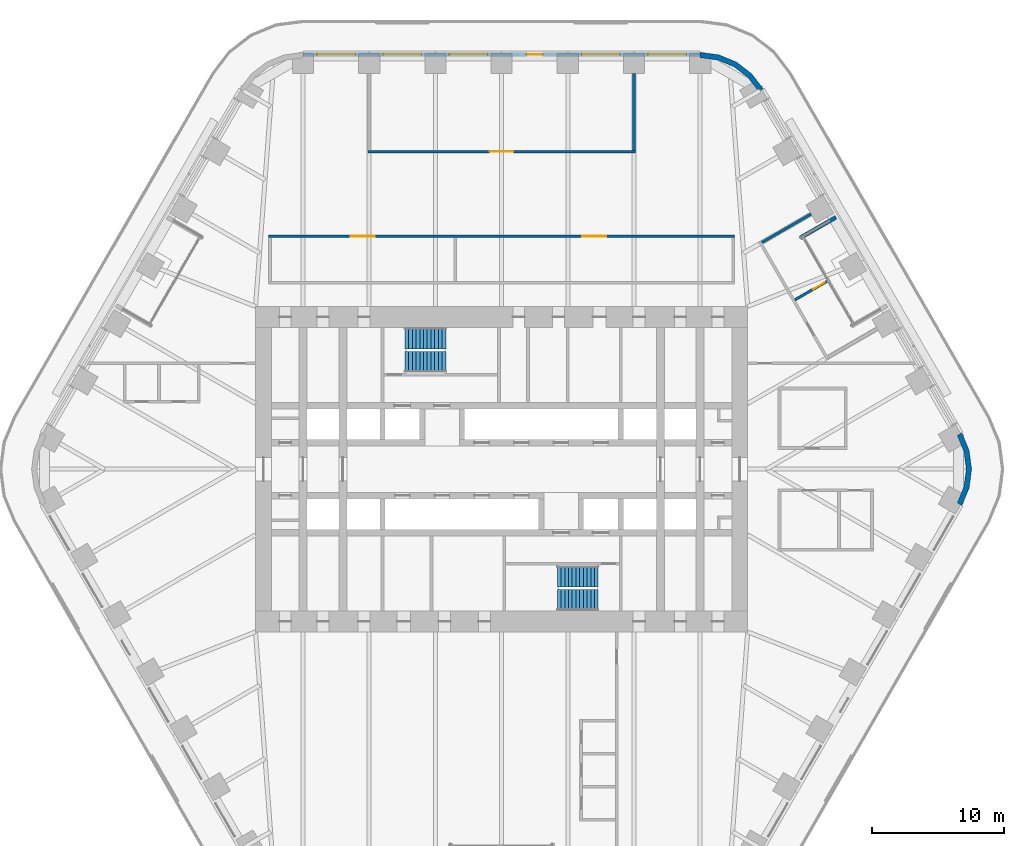
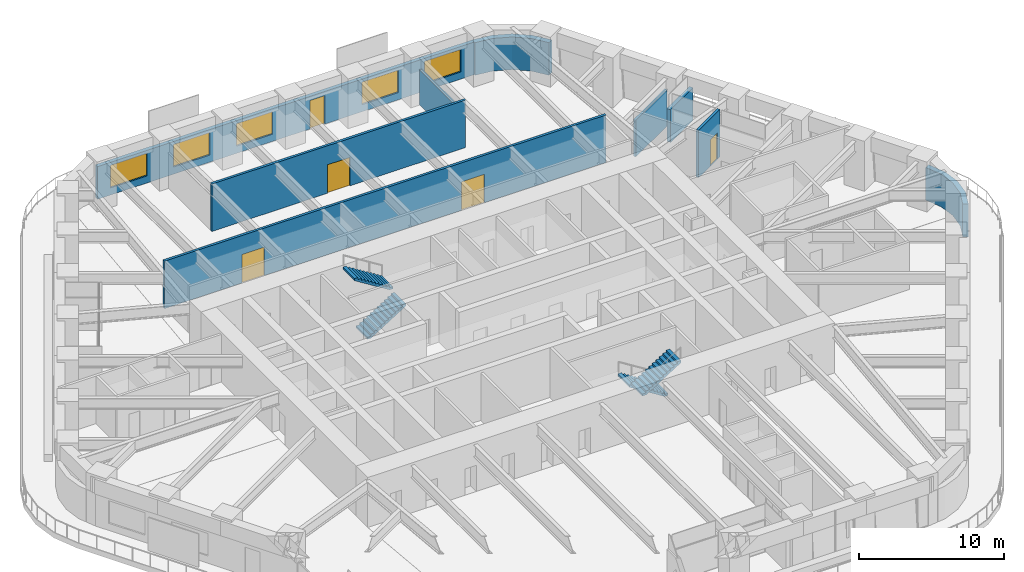
# One storey, part 21 of 24: 9 walls, 5 doors, 5 windows, 4 stair flights, 10 openings, 2 elements without a shape of their own.
"""IFC4 building model written with IfcOpenShell, lengths in metres."""

from ifc_helpers import new_model, si_unit, direction, frame, frame_2d, origin, place, context, subcontext, project, spatial, polyline, rectangle, outline, extrude, material, layer, layer_set, type_object, element, fill, aggregate, save


model = new_model("IFC4")

# Units and contexts
model_context = context("Model", 3, precision=1e-05, world=origin(), true_north=direction((0.0, 1.0)))
body_context = subcontext(model_context, "Body", "Model", "MODEL_VIEW")
ifc_project = project(units=[si_unit("LENGTHUNIT", "METRE"), si_unit("AREAUNIT", "SQUARE_METRE"), si_unit("VOLUMEUNIT", "CUBIC_METRE"), si_unit("PLANEANGLEUNIT", "RADIAN"), si_unit("MASSUNIT", "GRAM", prefix="KILO")], contexts=[model_context])

# Site, building, storey
site_placement = place(None, origin())
site = spatial("IfcSite", under=ifc_project, at=site_placement, CompositionType="ELEMENT")
building_placement = place(site_placement, origin())
building = spatial("IfcBuilding", under=site, at=building_placement, Name="Tarfa Lantern Tower", CompositionType="ELEMENT")
storey_placement = place(building_placement, frame((0.0, 0.0, 140.5)))
storey = spatial("IfcBuildingStorey", under=building, at=storey_placement, Name="L31", CompositionType="ELEMENT", Elevation=140.5)

# Wall
ifc_material_1 = material(Name="Limestone cladding on blockwork", Category="masonry")
ifc_layer_1 = layer(ifc_material_1, 0.300048828125)
ifc_layer_set_1 = layer_set([ifc_layer_1], Name="EW1 STONE-CLAD WALL 300")
wall_type_1 = type_object("IfcWallType", Name="EW1 STONE-CLAD WALL 300", PredefinedType="SOLIDWALL", material=ifc_layer_set_1)
wall_1_placement = place(storey_placement, frame((25.266357421875, 19.037353515625, 0.0), z_axis=(0.0, 0.0, 1.0), x_axis=(-0.86600983753, -0.500026960575, 0.0)))
element("IfcWall", 1, at=wall_1_placement, inside=storey, type_object=wall_type_1, Name="Loggia return NE 2", PredefinedType="SOLIDWALL", context=body_context, shape_type="SweptSolid", body=[
    extrude(rectangle(XDim=3.099853515625, YDim=0.300048828125, at=frame_2d((1.5498046875, 0.0))), origin(), (0.0, 0.0, 1.0), 2.75),
])

# Wall, openings, door, windows
wall_2_placement = place(storey_placement, frame((15.010986328125, 31.35009765625, 0.0), z_axis=(0.0, 0.0, 1.0), x_axis=(-1.0, 0.0, 0.0)))
wall_2 = element("IfcWall", 2, at=wall_2_placement, inside=storey, type_object=wall_type_1, Name="Stone wall N", PredefinedType="SOLIDWALL", context=body_context, shape_type="SweptSolid", body=[
    extrude(rectangle(XDim=30.02197265625, YDim=0.300048828125, at=frame_2d((15.010986328125, 0.0))), origin(), (0.0, 0.0, 1.0), 2.75),
])
opening_1_placement = place(wall_2_placement, frame((1.0517578125, 0.0, 0.60009765625)))
opening_1 = element("IfcOpeningElement", 3, at=opening_1_placement, cuts=wall_2, Name="Opening W9", PredefinedType="OPENING", context=body_context, shape_type="SweptSolid", body=[
    extrude(rectangle(XDim=2.89990234375, YDim=1.89990234375, at=frame_2d((1.449951171875, 0.949951171875))), frame((0.0, 0.159912109375, 0.0), z_axis=(0.0, -1.0, 0.0), x_axis=(1.0, 0.0, 0.0)), (0.0, 0.0, 1.0), 0.320068359375),
])
opening_2_placement = place(wall_2_placement, frame((6.0556640625, 0.0, 0.60009765625)))
opening_2 = element("IfcOpeningElement", 4, at=opening_2_placement, cuts=wall_2, Name="Opening W9", PredefinedType="OPENING", context=body_context, shape_type="SweptSolid", body=[
    extrude(rectangle(XDim=2.89990234375, YDim=1.89990234375, at=frame_2d((1.449951171875, 0.949951171875))), frame((0.0, 0.159912109375, 0.0), z_axis=(0.0, -1.0, 0.0), x_axis=(1.0, 0.0, 0.0)), (0.0, 0.0, 1.0), 0.320068359375),
])
opening_3_placement = place(wall_2_placement, frame((11.9091796875, 0.0, 0.0)))
opening_3 = element("IfcOpeningElement", 5, at=opening_3_placement, cuts=wall_2, Name="Opening D49", PredefinedType="OPENING", context=body_context, shape_type="SweptSolid", body=[
    extrude(rectangle(XDim=1.199951171875, YDim=2.39990234375, at=frame_2d((0.60009765625, 1.199951171875))), frame((0.0, 0.159912109375, 0.0), z_axis=(0.0, -1.0, 0.0), x_axis=(1.0, 0.0, 0.0)), (0.0, 0.0, 1.0), 0.320068359375),
])
opening_4_placement = place(wall_2_placement, frame((16.06298828125, 0.0, 0.60009765625)))
opening_4 = element("IfcOpeningElement", 6, at=opening_4_placement, cuts=wall_2, Name="Opening W9", PredefinedType="OPENING", context=body_context, shape_type="SweptSolid", body=[
    extrude(rectangle(XDim=2.89990234375, YDim=1.89990234375, at=frame_2d((1.449951171875, 0.949951171875))), frame((0.0, 0.159912109375, 0.0), z_axis=(0.0, -1.0, 0.0), x_axis=(1.0, 0.0, 0.0)), (0.0, 0.0, 1.0), 0.320068359375),
])
opening_5_placement = place(wall_2_placement, frame((21.066650390625, 0.0, 0.60009765625)))
opening_5 = element("IfcOpeningElement", 7, at=opening_5_placement, cuts=wall_2, Name="Opening W9", PredefinedType="OPENING", context=body_context, shape_type="SweptSolid", body=[
    extrude(rectangle(XDim=2.89990234375, YDim=1.89990234375, at=frame_2d((1.449951171875, 0.949951171875))), frame((0.0, 0.159912109375, 0.0), z_axis=(0.0, -1.0, 0.0), x_axis=(1.0, 0.0, 0.0)), (0.0, 0.0, 1.0), 0.320068359375),
])
opening_6_placement = place(wall_2_placement, frame((26.0703125, 0.0, 0.60009765625)))
opening_6 = element("IfcOpeningElement", 8, at=opening_6_placement, cuts=wall_2, Name="Opening W9", PredefinedType="OPENING", context=body_context, shape_type="SweptSolid", body=[
    extrude(rectangle(XDim=2.89990234375, YDim=1.89990234375, at=frame_2d((1.449951171875, 0.949951171875))), frame((0.0, 0.159912109375, 0.0), z_axis=(0.0, -1.0, 0.0), x_axis=(1.0, 0.0, 0.0)), (0.0, 0.0, 1.0), 0.320068359375),
])
ifc_material_2 = material(Name="Aluminium framed glazed door", Category="aluminium")
door_type_1 = type_object("IfcDoorType", Name="BE3 BALCONY DOOR 1200x2400", OperationType="SINGLE_SWING_RIGHT", PredefinedType="DOOR", material=ifc_material_2)
door_1_placement = place(opening_3_placement, origin())
door_1 = element("IfcDoor", 9, at=door_1_placement, inside=storey, type_object=door_type_1, Name="Balcony door N", OperationType="SINGLE_SWING_RIGHT", OverallHeight=2.39990234375, OverallWidth=1.199951171875, PredefinedType="DOOR", context=body_context, shape_type="SweptSolid", body=[
    extrude(rectangle(XDim=1.199951171875, YDim=2.39990234375, at=frame_2d((0.60009765625, 1.199951171875))), frame((0.0, 0.02490234375, 0.0), z_axis=(0.0, -1.0, 0.0), x_axis=(1.0, 0.0, 0.0)), (0.0, 0.0, 1.0), 0.050048828125),
])
fill(opening_3, door_1)
ifc_material_3 = material(Name="Aluminium frame, double glazed", Category="aluminium")
window_type = type_object("IfcWindowType", Name="W9 FULL-HEIGHT GLAZING 2900x1900", PartitioningType="SINGLE_PANEL", PredefinedType="WINDOW", material=ifc_material_3)
window_1_placement = place(opening_1_placement, origin())
window_1 = element("IfcWindow", 10, at=window_1_placement, inside=storey, type_object=window_type, Name="Window N 1", OverallHeight=1.89990234375, OverallWidth=2.89990234375, PartitioningType="SINGLE_PANEL", PredefinedType="WINDOW", context=body_context, shape_type="SweptSolid", body=[
    extrude(rectangle(XDim=2.89990234375, YDim=1.89990234375, at=frame_2d((1.449951171875, 0.949951171875))), frame((0.0, 0.030029296875, 0.0), z_axis=(0.0, -1.0, 0.0), x_axis=(1.0, 0.0, 0.0)), (0.0, 0.0, 1.0), 0.06005859375),
])
fill(opening_1, window_1)
window_2_placement = place(opening_2_placement, origin())
window_2 = element("IfcWindow", 11, at=window_2_placement, inside=storey, type_object=window_type, Name="Window N 2", OverallHeight=1.89990234375, OverallWidth=2.89990234375, PartitioningType="SINGLE_PANEL", PredefinedType="WINDOW", context=body_context, shape_type="SweptSolid", body=[
    extrude(rectangle(XDim=2.89990234375, YDim=1.89990234375, at=frame_2d((1.449951171875, 0.949951171875))), frame((0.0, 0.030029296875, 0.0), z_axis=(0.0, -1.0, 0.0), x_axis=(1.0, 0.0, 0.0)), (0.0, 0.0, 1.0), 0.06005859375),
])
fill(opening_2, window_2)
window_3_placement = place(opening_4_placement, origin())
window_3 = element("IfcWindow", 12, at=window_3_placement, inside=storey, type_object=window_type, Name="Window N 4", OverallHeight=1.89990234375, OverallWidth=2.89990234375, PartitioningType="SINGLE_PANEL", PredefinedType="WINDOW", context=body_context, shape_type="SweptSolid", body=[
    extrude(rectangle(XDim=2.89990234375, YDim=1.89990234375, at=frame_2d((1.449951171875, 0.949951171875))), frame((0.0, 0.030029296875, 0.0), z_axis=(0.0, -1.0, 0.0), x_axis=(1.0, 0.0, 0.0)), (0.0, 0.0, 1.0), 0.06005859375),
])
fill(opening_4, window_3)
window_4_placement = place(opening_5_placement, origin())
window_4 = element("IfcWindow", 13, at=window_4_placement, inside=storey, type_object=window_type, Name="Window N 5", OverallHeight=1.89990234375, OverallWidth=2.89990234375, PartitioningType="SINGLE_PANEL", PredefinedType="WINDOW", context=body_context, shape_type="SweptSolid", body=[
    extrude(rectangle(XDim=2.89990234375, YDim=1.89990234375, at=frame_2d((1.449951171875, 0.949951171875))), frame((0.0, 0.030029296875, 0.0), z_axis=(0.0, -1.0, 0.0), x_axis=(1.0, 0.0, 0.0)), (0.0, 0.0, 1.0), 0.06005859375),
])
fill(opening_5, window_4)
window_5_placement = place(opening_6_placement, origin())
window_5 = element("IfcWindow", 14, at=window_5_placement, inside=storey, type_object=window_type, Name="Window N 6", OverallHeight=1.89990234375, OverallWidth=2.89990234375, PartitioningType="SINGLE_PANEL", PredefinedType="WINDOW", context=body_context, shape_type="SweptSolid", body=[
    extrude(rectangle(XDim=2.89990234375, YDim=1.89990234375, at=frame_2d((1.449951171875, 0.949951171875))), frame((0.0, 0.030029296875, 0.0), z_axis=(0.0, -1.0, 0.0), x_axis=(1.0, 0.0, 0.0)), (0.0, 0.0, 1.0), 0.06005859375),
])
fill(opening_6, window_5)

# Walls
ifc_layer_2 = layer(ifc_material_1, 0.39990234375)
ifc_layer_set_2 = layer_set([ifc_layer_2], Name="EW2 CURVED STONE CORNER 400")
wall_type_2 = type_object("IfcWallType", Name="EW2 CURVED STONE CORNER 400", PredefinedType="SOLIDWALL", material=ifc_layer_set_2)
wall_3_placement = place(storey_placement, origin())
element("IfcWall", 15, at=wall_3_placement, inside=storey, type_object=wall_type_2, Name="Stone corner NE-N", PredefinedType="SOLIDWALL", context=body_context, shape_type="SweptSolid", body=[
    extrude(outline(polyline([(19.774169921875, 28.75), (18.900146484375, 29.88916015625), (17.760986328125, 30.76318359375), (16.4345703125, 31.3125), (15.010986328125, 31.5), (15.010986328125, 31.10009765625), (16.3310546875, 30.92626953125), (17.56103515625, 30.416748046875), (18.617431640625, 29.606201171875), (19.427734375, 28.550048828125), (19.774169921875, 28.75)])), origin(), (0.0, 0.0, 1.0), 2.75),
])
wall_4_placement = place(storey_placement, origin())
element("IfcWall", 16, at=wall_4_placement, inside=storey, type_object=wall_type_2, Name="Stone corner SE-NE", PredefinedType="SOLIDWALL", context=body_context, shape_type="SweptSolid", body=[
    extrude(outline(polyline([(34.785400390625, -2.75), (35.334716796875, -1.423583984375), (35.522216796875, 0.0), (35.334716796875, 1.423583984375), (34.785400390625, 2.75), (34.43896484375, 2.550048828125), (34.948486328125, 1.320068359375), (35.122314453125, 0.0), (34.948486328125, -1.320068359375), (34.43896484375, -2.550048828125), (34.785400390625, -2.75)])), origin(), (0.0, 0.0, 1.0), 2.75),
])

# Wall, openings, doors
ifc_material_4 = material(Name="Gypsum board on steel studs", Category="steel")
ifc_layer_3 = layer(ifc_material_4, 0.2099609375)
ifc_layer_set_3 = layer_set([ifc_layer_3], Name="IW2 ACOUSTIC PARTITION 200")
wall_type_3 = type_object("IfcWallType", Name="IW2 ACOUSTIC PARTITION 200", PredefinedType="PARTITIONING", material=ifc_layer_set_3)
wall_5_placement = place(storey_placement, frame((-17.60009765625, 17.60009765625, 0.0), z_axis=(0.0, 0.0, 1.0), x_axis=(1.0, 0.0, 0.0)))
wall_5 = element("IfcWall", 17, at=wall_5_placement, inside=storey, type_object=wall_type_3, Name="Partition", PredefinedType="PARTITIONING", context=body_context, shape_type="SweptSolid", body=[
    extrude(rectangle(XDim=35.2001953125, YDim=0.199951171875, at=frame_2d((17.60009765625, 0.0))), origin(), (0.0, 0.0, 1.0), 4.0),
])
opening_7_placement = place(wall_5_placement, frame((6.199951171875, 0.0, 0.0)))
opening_7 = element("IfcOpeningElement", 18, at=opening_7_placement, cuts=wall_5, Name="Opening D39", PredefinedType="OPENING", context=body_context, shape_type="SweptSolid", body=[
    extrude(rectangle(XDim=1.800048828125, YDim=2.39990234375, at=frame_2d((0.89990234375, 1.199951171875))), frame((0.0, 0.10986328125, 0.0), z_axis=(0.0, -1.0, 0.0), x_axis=(1.0, 0.0, 0.0)), (0.0, 0.0, 1.0), 0.219970703125),
])
opening_8_placement = place(wall_5_placement, frame((23.699951171875, 0.0, 0.0)))
opening_8 = element("IfcOpeningElement", 19, at=opening_8_placement, cuts=wall_5, Name="Opening D40", PredefinedType="OPENING", context=body_context, shape_type="SweptSolid", body=[
    extrude(rectangle(XDim=1.800048828125, YDim=2.39990234375, at=frame_2d((0.89990234375, 1.199951171875))), frame((0.0, 0.10986328125, 0.0), z_axis=(0.0, -1.0, 0.0), x_axis=(1.0, 0.0, 0.0)), (0.0, 0.0, 1.0), 0.219970703125),
])
ifc_material_5 = material(Name="Timber door", Category="wood")
door_type_2 = type_object("IfcDoorType", Name="DR2 ROOM DOOR 1800x2400", OperationType="DOUBLE_DOOR_SINGLE_SWING", PredefinedType="DOOR", material=ifc_material_5)
door_2_placement = place(opening_7_placement, frame((1.800048828125, 0.0, 0.0), z_axis=(0.0, 0.0, 1.0), x_axis=(-1.0, 0.0, 0.0)))
door_2 = element("IfcDoor", 20, at=door_2_placement, inside=storey, type_object=door_type_2, Name="Dealer support room door", OperationType="DOUBLE_DOOR_SINGLE_SWING", OverallHeight=2.39990234375, OverallWidth=1.800048828125, PredefinedType="DOOR", context=body_context, shape_type="SweptSolid", body=[
    extrude(rectangle(XDim=1.800048828125, YDim=2.39990234375, at=frame_2d((0.89990234375, 1.199951171875))), frame((0.0, 0.02490234375, 0.0), z_axis=(0.0, -1.0, 0.0), x_axis=(1.0, 0.0, 0.0)), (0.0, 0.0, 1.0), 0.050048828125),
])
fill(opening_7, door_2)
door_3_placement = place(opening_8_placement, frame((1.800048828125, 0.0, 0.0), z_axis=(0.0, 0.0, 1.0), x_axis=(-1.0, 0.0, 0.0)))
door_3 = element("IfcDoor", 21, at=door_3_placement, inside=storey, type_object=door_type_2, Name="Settlement office door", OperationType="DOUBLE_DOOR_SINGLE_SWING", OverallHeight=2.39990234375, OverallWidth=1.800048828125, PredefinedType="DOOR", context=body_context, shape_type="SweptSolid", body=[
    extrude(rectangle(XDim=1.800048828125, YDim=2.39990234375, at=frame_2d((0.89990234375, 1.199951171875))), frame((0.0, 0.02490234375, 0.0), z_axis=(0.0, -1.0, 0.0), x_axis=(1.0, 0.0, 0.0)), (0.0, 0.0, 1.0), 0.050048828125),
])
fill(opening_8, door_3)

# Wall, opening, door
wall_6_placement = place(storey_placement, frame((10.107421875, 24.0, 0.0), z_axis=(0.0, 0.0, 1.0), x_axis=(-1.0, 0.0, 0.0)))
wall_6 = element("IfcWall", 22, at=wall_6_placement, inside=storey, type_object=wall_type_3, Name="Partition", PredefinedType="PARTITIONING", context=body_context, shape_type="SweptSolid", body=[
    extrude(rectangle(XDim=20.21484375, YDim=0.199951171875, at=frame_2d((10.107421875, 0.0))), origin(), (0.0, 0.0, 1.0), 4.0),
])
opening_9_placement = place(wall_6_placement, frame((9.20751953125, 0.0, 0.0)))
opening_9 = element("IfcOpeningElement", 23, at=opening_9_placement, cuts=wall_6, Name="Opening D36", PredefinedType="OPENING", context=body_context, shape_type="SweptSolid", body=[
    extrude(rectangle(XDim=1.800048828125, YDim=2.39990234375, at=frame_2d((0.89990234375, 1.199951171875))), frame((0.0, 0.10986328125, 0.0), z_axis=(0.0, -1.0, 0.0), x_axis=(1.0, 0.0, 0.0)), (0.0, 0.0, 1.0), 0.219970703125),
])
door_4_placement = place(opening_9_placement, frame((1.800048828125, 0.0, 0.0), z_axis=(0.0, 0.0, 1.0), x_axis=(-1.0, 0.0, 0.0)))
door_4 = element("IfcDoor", 24, at=door_4_placement, inside=storey, type_object=door_type_2, Name="Dealing room door", OperationType="DOUBLE_DOOR_SINGLE_SWING", OverallHeight=2.39990234375, OverallWidth=1.800048828125, PredefinedType="DOOR", context=body_context, shape_type="SweptSolid", body=[
    extrude(rectangle(XDim=1.800048828125, YDim=2.39990234375, at=frame_2d((0.89990234375, 1.199951171875))), frame((0.0, 0.02490234375, 0.0), z_axis=(0.0, -1.0, 0.0), x_axis=(1.0, 0.0, 0.0)), (0.0, 0.0, 1.0), 0.050048828125),
])
fill(opening_9, door_4)

# Wall
wall_7_placement = place(storey_placement, frame((10.00732421875, 24.10009765625, 0.0), z_axis=(0.0, 0.0, 1.0), x_axis=(0.0, 1.0, 0.0)))
element("IfcWall", 25, at=wall_7_placement, inside=storey, type_object=wall_type_3, Name="Partition", PredefinedType="PARTITIONING", context=body_context, shape_type="SweptSolid", body=[
    extrude(rectangle(XDim=5.7998046875, YDim=0.199951171875, at=frame_2d((2.89990234375, 0.0))), origin(), (0.0, 0.0, 1.0), 2.991943359375),
])

# Wall, opening, door
wall_8_placement = place(storey_placement, frame((22.170166015625, 12.800048828125, 0.0), z_axis=(0.0, 0.0, 1.0), x_axis=(0.866044046824, 0.499967707918, 0.0)))
wall_8 = element("IfcWall", 26, at=wall_8_placement, inside=storey, type_object=wall_type_3, Name="Partition", PredefinedType="PARTITIONING", context=body_context, shape_type="SweptSolid", body=[
    extrude(rectangle(XDim=2.901123046875, YDim=0.199951171875, at=frame_2d((1.45068359375, 0.0))), origin(), (0.0, 0.0, 1.0), 4.0),
])
opening_10_placement = place(wall_8_placement, frame((1.60009765625, 0.0, 0.0)))
opening_10 = element("IfcOpeningElement", 27, at=opening_10_placement, cuts=wall_8, Name="Opening D38", PredefinedType="OPENING", context=body_context, shape_type="SweptSolid", body=[
    extrude(rectangle(XDim=1.0, YDim=2.199951171875, at=frame_2d((0.5, 1.10009765625))), frame((0.0, 0.10986328125, 0.0), z_axis=(0.0, -1.0, 0.0), x_axis=(1.0, 0.0, 0.0)), (0.0, 0.0, 1.0), 0.219970703125),
])
door_type_3 = type_object("IfcDoorType", Name="DR1 ROOM DOOR 1000x2200", OperationType="SINGLE_SWING_LEFT", PredefinedType="DOOR", material=ifc_material_5)
door_5_placement = place(opening_10_placement, frame((1.0, 0.0, 0.0), z_axis=(0.0, 0.0, 1.0), x_axis=(-1.0, 0.0, 0.0)))
door_5 = element("IfcDoor", 28, at=door_5_placement, inside=storey, type_object=door_type_3, Name="Treasurer's office door", OperationType="SINGLE_SWING_RIGHT", OverallHeight=2.199951171875, OverallWidth=1.0, PredefinedType="DOOR", context=body_context, shape_type="SweptSolid", body=[
    extrude(rectangle(XDim=1.0, YDim=2.199951171875, at=frame_2d((0.5, 1.10009765625))), frame((0.0, 0.02490234375, 0.0), z_axis=(0.0, -1.0, 0.0), x_axis=(1.0, 0.0, 0.0)), (0.0, 0.0, 1.0), 0.050048828125),
])
fill(opening_10, door_5)

# Wall
wall_9_placement = place(storey_placement, frame((19.66845703125, 17.13330078125, 0.0), z_axis=(0.0, 0.0, 1.0), x_axis=(0.866008775485, 0.500028799954, 0.0)))
element("IfcWall", 29, at=wall_9_placement, inside=storey, type_object=wall_type_3, Name="Partition", PredefinedType="PARTITIONING", context=body_context, shape_type="SweptSolid", body=[
    extrude(rectangle(XDim=4.300048828125, YDim=0.199951171875, at=frame_2d((2.14990234375, 0.0))), origin(), (0.0, 0.0, 1.0), 3.08154296875),
])

# Stair, stair flights
ifc_material_6 = material(Name="Concrete C40/50", Category="concrete")
stair_type = type_object("IfcStairType", Name="ST-T10 HALF-TURN STAIR 4200 RISE", PredefinedType="HALF_TURN_STAIR", material=ifc_material_6)
stair_1_placement = place(storey_placement, origin())
stair_1 = element("IfcStair", 30, at=stair_1_placement, inside=storey, type_object=stair_type, Name="Stair ST1", PredefinedType="HALF_TURN_STAIR")
stair_flight_type = type_object("IfcStairFlightType", Name="SF1 STAIR FLIGHT", PredefinedType="STRAIGHT", material=ifc_material_6)
stair_flight_1_placement = place(storey_placement, frame((-7.300048828125, 8.10009765625, 0.0), z_axis=(0.0, 0.0, 1.0), x_axis=(1.0, 0.0, 0.0)))
stair_flight_1 = element("IfcStairFlight", 31, at=stair_flight_1_placement, type_object=stair_flight_type, Name="ST1 flight 1", NumberOfRisers=12, NumberOfTreads=11, PredefinedType="STRAIGHT", RiserHeight=0.175, TreadLength=0.28, context=body_context, shape_type="SweptSolid", body=[
    extrude(outline(polyline([(0.0, 0.0), (0.0, 0.175048828125), (0.280029296875, 0.175048828125), (0.280029296875, 0.35009765625), (0.56005859375, 0.35009765625), (0.56005859375, 0.52490234375), (0.840087890625, 0.52490234375), (0.840087890625, 0.699951171875), (1.1201171875, 0.699951171875), (1.1201171875, 0.875), (1.39990234375, 0.875), (1.39990234375, 1.050048828125), (1.679931640625, 1.050048828125), (1.679931640625, 1.22509765625), (1.9599609375, 1.22509765625), (1.9599609375, 1.39990234375), (2.239990234375, 1.39990234375), (2.239990234375, 1.574951171875), (2.52001953125, 1.574951171875), (2.52001953125, 1.75), (2.800048828125, 1.75), (2.800048828125, 1.925048828125), (3.080078125, 1.925048828125), (3.080078125, 2.10009765625), (3.080078125, 1.748291015625), (0.28271484375, 0.0), (0.0, 0.0)])), frame((0.0, 0.800048828125, 0.0), z_axis=(0.0, -1.0, 0.0), x_axis=(1.0, 0.0, 0.0)), (0.0, 0.0, 1.0), 1.60009765625),
])
stair_flight_2_placement = place(storey_placement, frame((-4.219970703125, 9.89990234375, 2.10009765625), z_axis=(0.0, 0.0, 1.0), x_axis=(-1.0, 0.0, 0.0)))
stair_flight_2 = element("IfcStairFlight", 32, at=stair_flight_2_placement, type_object=stair_flight_type, Name="ST1 flight 2", NumberOfRisers=12, NumberOfTreads=11, PredefinedType="STRAIGHT", RiserHeight=0.175, TreadLength=0.28, context=body_context, shape_type="SweptSolid", body=[
    extrude(outline(polyline([(0.0, 0.0), (0.0, 0.175048828125), (0.280029296875, 0.175048828125), (0.280029296875, 0.35009765625), (0.56005859375, 0.35009765625), (0.56005859375, 0.52490234375), (0.840087890625, 0.52490234375), (0.840087890625, 0.699951171875), (1.1201171875, 0.699951171875), (1.1201171875, 0.875), (1.39990234375, 0.875), (1.39990234375, 1.050048828125), (1.679931640625, 1.050048828125), (1.679931640625, 1.22509765625), (1.9599609375, 1.22509765625), (1.9599609375, 1.39990234375), (2.239990234375, 1.39990234375), (2.239990234375, 1.574951171875), (2.52001953125, 1.574951171875), (2.52001953125, 1.75), (2.800048828125, 1.75), (2.800048828125, 1.925048828125), (3.080078125, 1.925048828125), (3.080078125, 2.10009765625), (3.080078125, 1.748291015625), (0.28271484375, 0.0), (0.0, 0.0)])), frame((0.0, 0.800048828125, 0.0), z_axis=(0.0, -1.0, 0.0), x_axis=(1.0, 0.0, 0.0)), (0.0, 0.0, 1.0), 1.60009765625),
])
aggregate(stair_1, [stair_flight_1, stair_flight_2])

stair_2_placement = place(storey_placement, origin())
stair_2 = element("IfcStair", 33, at=stair_2_placement, inside=storey, type_object=stair_type, Name="Stair ST2", PredefinedType="HALF_TURN_STAIR")
stair_flight_3_placement = place(storey_placement, frame((7.300048828125, -8.10009765625, 0.0), z_axis=(0.0, 0.0, 1.0), x_axis=(-1.0, 0.0, 0.0)))
stair_flight_3 = element("IfcStairFlight", 34, at=stair_flight_3_placement, type_object=stair_flight_type, Name="ST2 flight 1", NumberOfRisers=12, NumberOfTreads=11, PredefinedType="STRAIGHT", RiserHeight=0.175, TreadLength=0.28, context=body_context, shape_type="SweptSolid", body=[
    extrude(outline(polyline([(0.0, 0.0), (0.0, 0.175048828125), (0.280029296875, 0.175048828125), (0.280029296875, 0.35009765625), (0.56005859375, 0.35009765625), (0.56005859375, 0.52490234375), (0.840087890625, 0.52490234375), (0.840087890625, 0.699951171875), (1.1201171875, 0.699951171875), (1.1201171875, 0.875), (1.39990234375, 0.875), (1.39990234375, 1.050048828125), (1.679931640625, 1.050048828125), (1.679931640625, 1.22509765625), (1.9599609375, 1.22509765625), (1.9599609375, 1.39990234375), (2.239990234375, 1.39990234375), (2.239990234375, 1.574951171875), (2.52001953125, 1.574951171875), (2.52001953125, 1.75), (2.800048828125, 1.75), (2.800048828125, 1.925048828125), (3.080078125, 1.925048828125), (3.080078125, 2.10009765625), (3.080078125, 1.748291015625), (0.28271484375, 0.0), (0.0, 0.0)])), frame((0.0, 0.800048828125, 0.0), z_axis=(0.0, -1.0, 0.0), x_axis=(1.0, 0.0, 0.0)), (0.0, 0.0, 1.0), 1.60009765625),
])
stair_flight_4_placement = place(storey_placement, frame((4.219970703125, -9.89990234375, 2.10009765625), z_axis=(0.0, 0.0, 1.0), x_axis=(1.0, 0.0, 0.0)))
stair_flight_4 = element("IfcStairFlight", 35, at=stair_flight_4_placement, type_object=stair_flight_type, Name="ST2 flight 2", NumberOfRisers=12, NumberOfTreads=11, PredefinedType="STRAIGHT", RiserHeight=0.175, TreadLength=0.28, context=body_context, shape_type="SweptSolid", body=[
    extrude(outline(polyline([(0.0, 0.0), (0.0, 0.175048828125), (0.280029296875, 0.175048828125), (0.280029296875, 0.35009765625), (0.56005859375, 0.35009765625), (0.56005859375, 0.52490234375), (0.840087890625, 0.52490234375), (0.840087890625, 0.699951171875), (1.1201171875, 0.699951171875), (1.1201171875, 0.875), (1.39990234375, 0.875), (1.39990234375, 1.050048828125), (1.679931640625, 1.050048828125), (1.679931640625, 1.22509765625), (1.9599609375, 1.22509765625), (1.9599609375, 1.39990234375), (2.239990234375, 1.39990234375), (2.239990234375, 1.574951171875), (2.52001953125, 1.574951171875), (2.52001953125, 1.75), (2.800048828125, 1.75), (2.800048828125, 1.925048828125), (3.080078125, 1.925048828125), (3.080078125, 2.10009765625), (3.080078125, 1.748291015625), (0.28271484375, 0.0), (0.0, 0.0)])), frame((0.0, 0.800048828125, 0.0), z_axis=(0.0, -1.0, 0.0), x_axis=(1.0, 0.0, 0.0)), (0.0, 0.0, 1.0), 1.60009765625),
])
aggregate(stair_2, [stair_flight_3, stair_flight_4])

save(model, "model.ifc")
